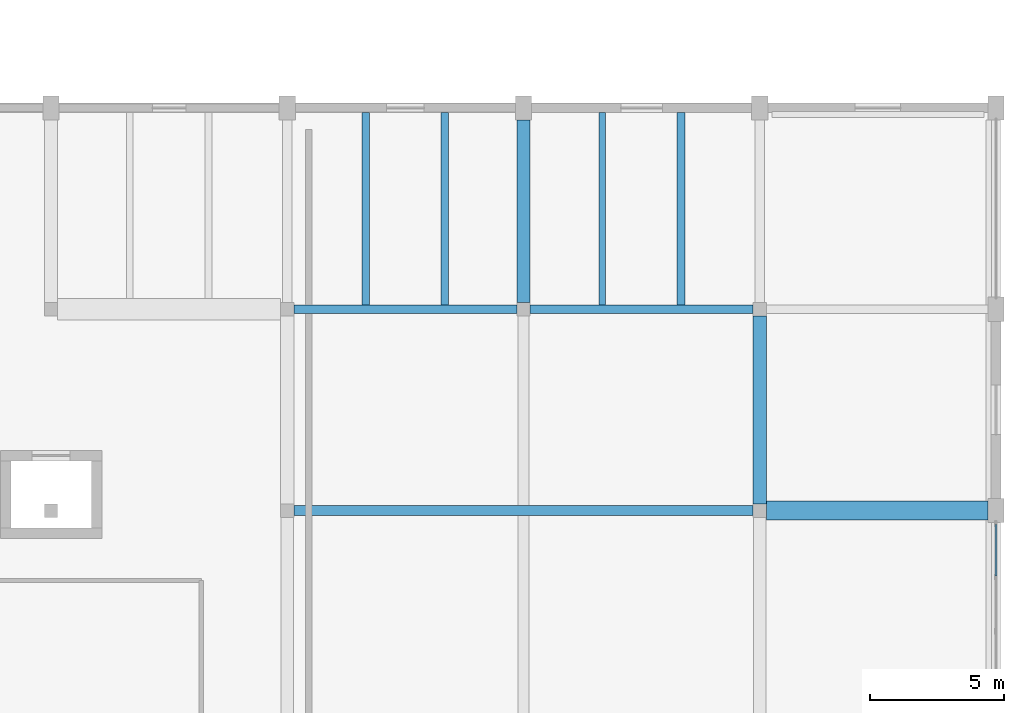
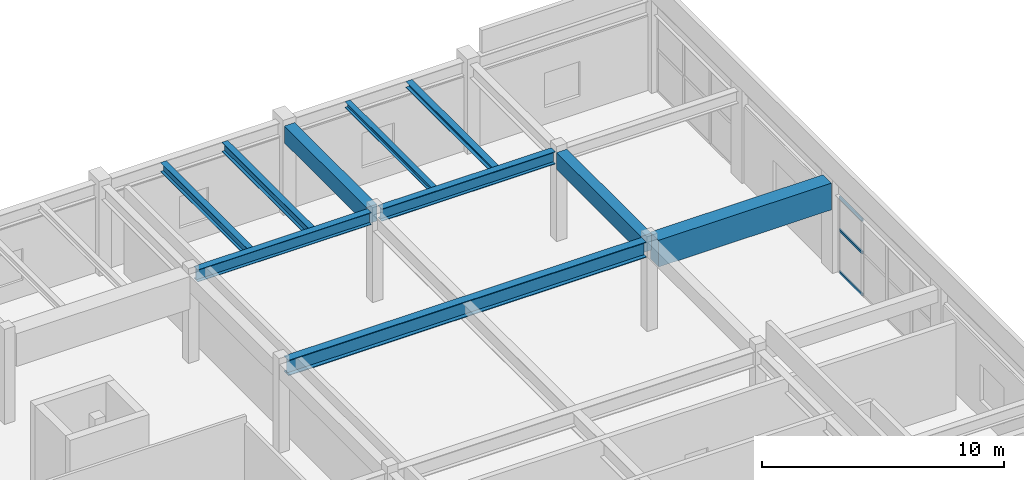
# One storey, part 47 of 80: 10 beams, 3 members, 1 element without a shape of its own.
"""IFC4 building model written with IfcOpenShell, lengths in metres."""

from ifc_helpers import new_model, si_unit, direction, frame, origin, origin_2d, place, context, subcontext, project, spatial, rectangle, hollow_rectangle, i_section, extrude, material, layer, layer_set, material_profile, profile_set, type_object, element, aggregate, save


model = new_model("IFC4")

# Units and contexts
model_context = context("Model", 3, precision=1e-05, world=origin(), true_north=direction((0.0, 1.0)))
body_context = subcontext(model_context, "Body", "Model", "MODEL_VIEW")
ifc_project = project(units=[si_unit("LENGTHUNIT", "METRE"), si_unit("AREAUNIT", "SQUARE_METRE"), si_unit("VOLUMEUNIT", "CUBIC_METRE"), si_unit("PLANEANGLEUNIT", "RADIAN"), si_unit("MASSUNIT", "GRAM", prefix="KILO")], contexts=[model_context])

# Site, building, storey
site_placement = place(None, origin())
site = spatial("IfcSite", under=ifc_project, at=site_placement, CompositionType="ELEMENT")
building_placement = place(site_placement, origin())
building = spatial("IfcBuilding", under=site, at=building_placement, Name="Vaelkrest Opera House", CompositionType="ELEMENT")
storey_placement = place(building_placement, frame((0.0, 0.0, 15.0)))
storey = spatial("IfcBuildingStorey", under=building, at=storey_placement, Name="L03", CompositionType="ELEMENT", Elevation=15.0)

# Beams
ifc_material_1 = material(Name="Concrete C50/60", Category="concrete")
ifc_material_profile_1 = material_profile(ifc_material_1, rectangle(XDim=0.5, YDim=0.85009765625, at=origin_2d()), Name="RCB500X850")
ifc_profile_set_1 = profile_set([ifc_material_profile_1], Name="Concrete C50/60")
beam_type_1 = type_object("IfcBeamType", Name="B03", PredefinedType="BEAM", material=ifc_profile_set_1)
beam_1_placement = place(storey_placement, frame((60.0, 17.949951171875, 4.080078125), z_axis=(0.0, 1.0, 0.0), x_axis=(-1.0, 0.0, 0.0)))
element("IfcBeam", 1, at=beam_1_placement, inside=storey, type_object=beam_type_1, Name="Beam BM-V4-L03-2376", PredefinedType="BEAM", context=body_context, shape_type="SweptSolid", body=[
    extrude(rectangle(XDim=0.5, YDim=0.85009765625, at=origin_2d()), origin(), (0.0, 0.0, 1.0), 6.800048828125),
])
beam_2_placement = place(storey_placement, frame((68.800048828125, 10.449951171875, 4.080078125), z_axis=(0.0, 1.0, 0.0), x_axis=(-1.0, 0.0, 0.0)))
element("IfcBeam", 2, at=beam_2_placement, inside=storey, type_object=beam_type_1, Name="Beam BM-V4-L03-2380", PredefinedType="BEAM", context=body_context, shape_type="SweptSolid", body=[
    extrude(rectangle(XDim=0.5, YDim=0.85009765625, at=origin_2d()), origin(), (0.0, 0.0, 1.0), 7.0),
])
ifc_material_profile_2 = material_profile(ifc_material_1, rectangle(XDim=0.699951171875, YDim=1.35009765625, at=origin_2d()), Name="RCB700X1350")
ifc_profile_set_2 = profile_set([ifc_material_profile_2], Name="Concrete C50/60")
beam_type_2 = type_object("IfcBeamType", Name="B06", PredefinedType="BEAM", material=ifc_profile_set_2)
beam_3_placement = place(storey_placement, frame((69.050048828125, 10.199951171875, 3.830078125), z_axis=(1.0, 0.0, 0.0), x_axis=(0.0, 1.0, 0.0)))
element("IfcBeam", 3, at=beam_3_placement, inside=storey, type_object=beam_type_2, Name="Beam BM-V4-L03-2351", PredefinedType="BEAM", context=body_context, shape_type="SweptSolid", body=[
    extrude(rectangle(XDim=0.699951171875, YDim=1.35009765625, at=origin_2d()), origin(), (0.0, 0.0, 1.0), 8.25),
])
ifc_material_2 = material(Name="Steel A992 Gr50", Category="steel")
ifc_material_profile_3 = material_profile(ifc_material_2, i_section(OverallWidth=0.323974609375, OverallDepth=0.611083984375, WebThickness=0.0126953125, FlangeThickness=0.01904296875, at=origin_2d()), Name="W24X104")
ifc_profile_set_3 = profile_set([ifc_material_profile_3], Name="Steel A992 Gr50")
beam_type_3 = type_object("IfcBeamType", Name="B08", PredefinedType="BEAM", material=ifc_profile_set_3)
beam_4_placement = place(storey_placement, frame((51.449951171875, 17.699951171875, 4.199462890625), z_axis=(1.0, 0.0, 0.0), x_axis=(0.0, 1.0, 0.0)))
element("IfcBeam", 4, at=beam_4_placement, inside=storey, type_object=beam_type_3, Name="Beam BM-V4-L03-2353", PredefinedType="BEAM", context=body_context, shape_type="SweptSolid", body=[
    extrude(i_section(OverallWidth=0.323974609375, OverallDepth=0.611083984375, WebThickness=0.0126953125, FlangeThickness=0.01904296875, at=origin_2d()), origin(), (0.0, 0.0, 1.0), 8.300048828125),
])
ifc_material_profile_4 = material_profile(ifc_material_2, i_section(OverallWidth=0.327880859375, OverallDepth=0.6279296875, WebThickness=0.0166015625, FlangeThickness=0.027587890625, at=origin_2d()), Name="W24X146")
ifc_profile_set_4 = profile_set([ifc_material_profile_4], Name="Steel A992 Gr50")
beam_type_4 = type_object("IfcBeamType", Name="B09", PredefinedType="BEAM", material=ifc_profile_set_4)
beam_5_placement = place(storey_placement, frame((60.25, 17.699951171875, 4.19091796875), z_axis=(1.0, 0.0, 0.0), x_axis=(0.0, 1.0, 0.0)))
element("IfcBeam", 5, at=beam_5_placement, inside=storey, type_object=beam_type_4, Name="Beam BM-V4-L03-2354", PredefinedType="BEAM", context=body_context, shape_type="SweptSolid", body=[
    extrude(i_section(OverallWidth=0.327880859375, OverallDepth=0.6279296875, WebThickness=0.0166015625, FlangeThickness=0.027587890625, at=origin_2d()), origin(), (0.0, 0.0, 1.0), 8.300048828125),
])
ifc_material_profile_5 = material_profile(ifc_material_2, i_section(OverallWidth=0.384033203125, OverallDepth=0.785888671875, WebThickness=0.019775390625, FlangeThickness=0.033447265625, at=origin_2d()), Name="W30X211")
ifc_profile_set_5 = profile_set([ifc_material_profile_5], Name="Steel A992 Gr50")
beam_type_5 = type_object("IfcBeamType", Name="B16", PredefinedType="BEAM", material=ifc_profile_set_5)
beam_6_placement = place(storey_placement, frame((51.449951171875, 10.199951171875, 4.112060546875), z_axis=(1.0, 0.0, 0.0), x_axis=(0.0, 1.0, 0.0)))
element("IfcBeam", 6, at=beam_6_placement, inside=storey, type_object=beam_type_5, Name="Beam BM-V4-L03-2350", PredefinedType="BEAM", context=body_context, shape_type="SweptSolid", body=[
    extrude(i_section(OverallWidth=0.384033203125, OverallDepth=0.785888671875, WebThickness=0.019775390625, FlangeThickness=0.033447265625, at=origin_2d()), origin(), (0.0, 0.0, 1.0), 17.10009765625),
])

# Curtain wall, members
ifc_material_3 = material(Name="Dark bronze anodized aluminium", Category="aluminium")
ifc_layer = layer(ifc_material_3, 0.239990234375)
ifc_layer_set = layer_set([ifc_layer], Name="Dark bronze anodized aluminium")
curtain_wall_type = type_object("IfcCurtainWallType", Name="CW07", PredefinedType="NOTDEFINED", material=ifc_layer_set)
curtain_wall_placement = place(storey_placement, origin())
curtain_wall = element("IfcCurtainWall", 7, at=curtain_wall_placement, inside=storey, type_object=curtain_wall_type, Name="Curtain wall CW-L03-168", PredefinedType="NOTDEFINED")
ifc_material_profile_6 = material_profile(ifc_material_3, hollow_rectangle(XDim=0.06494140625, YDim=0.139892578125, WallThickness=0.00390625, at=origin_2d()), Name="CWT65X140")
ifc_profile_set_6 = profile_set([ifc_material_profile_6], Name="Dark bronze anodized aluminium")
member_type = type_object("IfcMemberType", Name="CWT01", PredefinedType="USERDEFINED", material=ifc_profile_set_6)
member_1_placement = place(storey_placement, frame((77.60009765625, 9.677001953125, 0.032470703125), z_axis=(0.0, -1.0, 0.0), x_axis=(1.0, 0.0, 0.0)))
member_1 = element("IfcMember", 8, at=member_1_placement, type_object=member_type, Name="CW07 transom 1.1", ObjectType="TRANSOM", PredefinedType="USERDEFINED", context=body_context, shape_type="SweptSolid", body=[
    extrude(hollow_rectangle(XDim=0.06494140625, YDim=0.139892578125, WallThickness=0.00390625, at=origin_2d()), origin(), (0.0, 0.0, 1.0), 1.91357421875),
])
member_2_placement = place(storey_placement, frame((77.60009765625, 9.677001953125, 2.14990234375), z_axis=(0.0, -1.0, 0.0), x_axis=(1.0, 0.0, 0.0)))
member_2 = element("IfcMember", 9, at=member_2_placement, type_object=member_type, Name="CW07 transom 1.2", ObjectType="TRANSOM", PredefinedType="USERDEFINED", context=body_context, shape_type="SweptSolid", body=[
    extrude(hollow_rectangle(XDim=0.06494140625, YDim=0.139892578125, WallThickness=0.00390625, at=origin_2d()), origin(), (0.0, 0.0, 1.0), 1.91357421875),
])
member_3_placement = place(storey_placement, frame((77.60009765625, 9.677001953125, 3.79638671875), z_axis=(0.0, -1.0, 0.0), x_axis=(1.0, 0.0, 0.0)))
member_3 = element("IfcMember", 10, at=member_3_placement, type_object=member_type, Name="CW07 transom 1.3", ObjectType="TRANSOM", PredefinedType="USERDEFINED", context=body_context, shape_type="SweptSolid", body=[
    extrude(hollow_rectangle(XDim=0.06494140625, YDim=0.139892578125, WallThickness=0.00390625, at=origin_2d()), origin(), (0.0, 0.0, 1.0), 1.91357421875),
])
aggregate(curtain_wall, [member_1, member_2, member_3])

# Beams
ifc_material_profile_7 = material_profile(ifc_material_2, i_section(OverallWidth=0.25390625, OverallDepth=0.305908203125, WebThickness=0.0087890625, FlangeThickness=0.0146484375, at=origin_2d()), Name="W12X53")
ifc_profile_set_7 = profile_set([ifc_material_profile_7], Name="Steel A992 Gr50")
beam_type_6 = type_object("IfcBeamType", Name="J03", PredefinedType="JOIST", material=ifc_profile_set_7)
beam_7_placement = place(storey_placement, frame((62.93310546875, 17.864013671875, 4.35205078125), z_axis=(0.0, 1.0, 0.0), x_axis=(-1.0, 0.0, 0.0)))
element("IfcBeam", 11, at=beam_7_placement, inside=storey, type_object=beam_type_6, Name="Floor joist JST-V4-L03-2403", PredefinedType="JOIST", context=body_context, shape_type="SweptSolid", body=[
    extrude(i_section(OverallWidth=0.25390625, OverallDepth=0.305908203125, WebThickness=0.0087890625, FlangeThickness=0.0146484375, at=origin_2d()), origin(), (0.0, 0.0, 1.0), 7.158447265625),
])
ifc_material_profile_8 = material_profile(ifc_material_2, i_section(OverallWidth=0.304931640625, OverallDepth=0.30810546875, WebThickness=0.010009765625, FlangeThickness=0.015380859375, at=origin_2d()), Name="W12X65")
ifc_profile_set_8 = profile_set([ifc_material_profile_8], Name="Steel A992 Gr50")
beam_type_7 = type_object("IfcBeamType", Name="J04", PredefinedType="JOIST", material=ifc_profile_set_8)
beam_8_placement = place(storey_placement, frame((65.866943359375, 17.864013671875, 4.35107421875), z_axis=(0.0, 1.0, 0.0), x_axis=(-1.0, 0.0, 0.0)))
element("IfcBeam", 12, at=beam_8_placement, inside=storey, type_object=beam_type_7, Name="Floor joist JST-V4-L03-2404", PredefinedType="JOIST", context=body_context, shape_type="SweptSolid", body=[
    extrude(i_section(OverallWidth=0.304931640625, OverallDepth=0.30810546875, WebThickness=0.010009765625, FlangeThickness=0.015380859375, at=origin_2d()), origin(), (0.0, 0.0, 1.0), 7.158447265625),
])
ifc_material_profile_9 = material_profile(ifc_material_2, i_section(OverallWidth=0.280029296875, OverallDepth=0.462890625, WebThickness=0.0107421875, FlangeThickness=0.017333984375, at=origin_2d()), Name="W18X76")
ifc_profile_set_9 = profile_set([ifc_material_profile_9], Name="Steel A992 Gr50")
beam_type_8 = type_object("IfcBeamType", Name="J09", PredefinedType="JOIST", material=ifc_profile_set_9)
beam_9_placement = place(storey_placement, frame((54.133056640625, 17.862060546875, 4.2734375), z_axis=(0.0, 1.0, 0.0), x_axis=(-1.0, 0.0, 0.0)))
element("IfcBeam", 13, at=beam_9_placement, inside=storey, type_object=beam_type_8, Name="Floor joist JST-V4-L03-2399", PredefinedType="JOIST", context=body_context, shape_type="SweptSolid", body=[
    extrude(i_section(OverallWidth=0.280029296875, OverallDepth=0.462890625, WebThickness=0.0107421875, FlangeThickness=0.017333984375, at=origin_2d()), origin(), (0.0, 0.0, 1.0), 7.160400390625),
])
ifc_material_profile_10 = material_profile(ifc_material_2, i_section(OverallWidth=0.282958984375, OverallDepth=0.471923828125, WebThickness=0.013671875, FlangeThickness=0.022216796875, at=origin_2d()), Name="W18X97")
ifc_profile_set_10 = profile_set([ifc_material_profile_10], Name="Steel A992 Gr50")
beam_type_9 = type_object("IfcBeamType", Name="J10", PredefinedType="JOIST", material=ifc_profile_set_10)
beam_10_placement = place(storey_placement, frame((57.06689453125, 17.862060546875, 4.26904296875), z_axis=(0.0, 1.0, 0.0), x_axis=(-1.0, 0.0, 0.0)))
element("IfcBeam", 14, at=beam_10_placement, inside=storey, type_object=beam_type_9, Name="Floor joist JST-V4-L03-2400", PredefinedType="JOIST", context=body_context, shape_type="SweptSolid", body=[
    extrude(i_section(OverallWidth=0.282958984375, OverallDepth=0.471923828125, WebThickness=0.013671875, FlangeThickness=0.022216796875, at=origin_2d()), origin(), (0.0, 0.0, 1.0), 7.160400390625),
])

save(model, "model.ifc")
